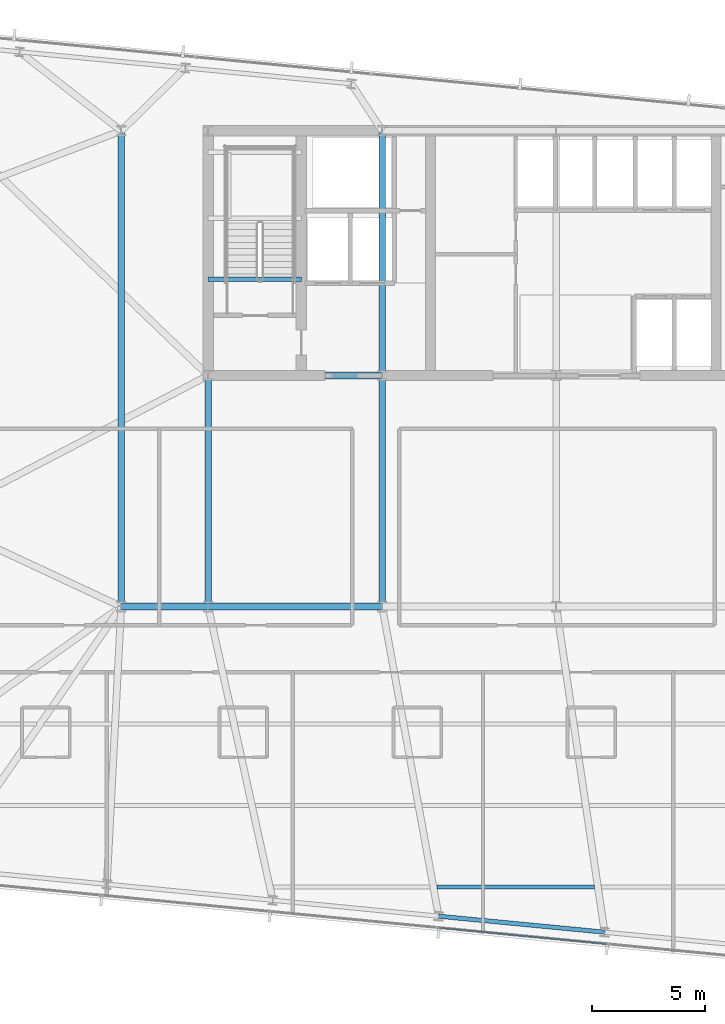
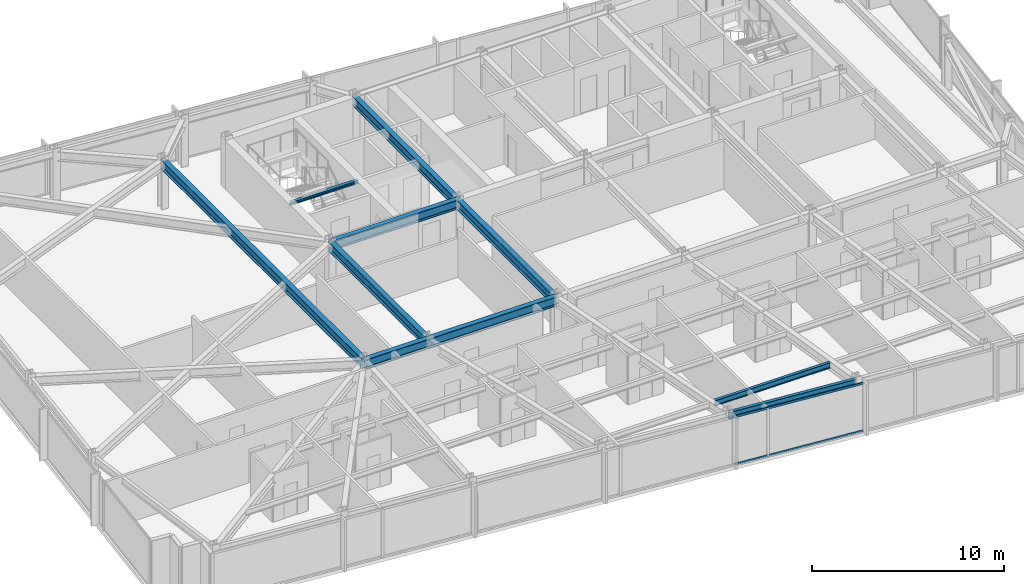
# One storey, part 11 of 37: 10 beams, 2 members, 1 element without a shape of its own.
"""IFC4 building model written with IfcOpenShell, lengths in metres."""

from ifc_helpers import new_model, si_unit, direction, frame, origin, origin_2d, place, context, subcontext, project, spatial, hollow_rectangle, i_section, extrude, material, material_profile, profile_set, type_object, element, aggregate, save


model = new_model("IFC4")

# Units and contexts
model_context = context("Model", 3, precision=1e-05, world=origin(), true_north=direction((0.0, 1.0)))
body_context = subcontext(model_context, "Body", "Model", "MODEL_VIEW")
ifc_project = project(units=[si_unit("LENGTHUNIT", "METRE"), si_unit("AREAUNIT", "SQUARE_METRE"), si_unit("VOLUMEUNIT", "CUBIC_METRE"), si_unit("PLANEANGLEUNIT", "RADIAN"), si_unit("MASSUNIT", "GRAM", prefix="KILO")], contexts=[model_context])

# Site, building, storey
site_placement = place(None, origin())
site = spatial("IfcSite", under=ifc_project, at=site_placement, CompositionType="ELEMENT")
building_placement = place(site_placement, origin())
building = spatial("IfcBuilding", under=site, at=building_placement, Name="Yelkora Congress Tower", CompositionType="ELEMENT")
storey_placement = place(building_placement, frame((0.0, 0.0, 165.5)))
storey = spatial("IfcBuildingStorey", under=building, at=storey_placement, Name="L45", CompositionType="ELEMENT", Elevation=165.5)

# Beams
ifc_material_1 = material(Name="Steel S355J2", Category="steel")
ifc_material_profile_1 = material_profile(ifc_material_1, i_section(OverallWidth=0.300048828125, OverallDepth=0.60009765625, WebThickness=0.015380859375, FlangeThickness=0.030029296875, FilletRadius=0.027099609375, at=origin_2d()), Name="HEB 600")
ifc_profile_set_1 = profile_set([ifc_material_profile_1], Name="Steel S355J2")
beam_type_1 = type_object("IfcBeamType", Name="BM-GIRD-HEB600", PredefinedType="BEAM", material=ifc_profile_set_1)
beam_1_placement = place(storey_placement, frame((19.199951171875, 25.199951171875, 2.780029296875), z_axis=(1.0, 0.0, 0.0), x_axis=(0.0, 1.0, 0.0)))
element("IfcBeam", 1, at=beam_1_placement, inside=storey, type_object=beam_type_1, Name="L45 Spine Grid D Girder 1", PredefinedType="BEAM", context=body_context, shape_type="SweptSolid", body=[
    extrude(i_section(OverallWidth=0.300048828125, OverallDepth=0.60009765625, WebThickness=0.015380859375, FlangeThickness=0.030029296875, FilletRadius=0.027099609375, at=origin_2d()), origin(), (0.0, 0.0, 1.0), 3.840087890625),
])
for number, where, z_axis, x_axis, name in (
    (2, (23.0400390625, 25.199951171875, 2.780029296875), (1.0, 0.0, 0.0), (0.0, 1.0, 0.0), "L45 Spine Grid D Girder 2"),
    (3, (23.0400390625, 35.39990234375, 2.780029296875), (1.0, 0.0, 0.0), (0.0, 1.0, 0.0), "L45 Core South Girder 1"),
):
    element("IfcBeam", number, at=place(storey_placement, frame(where, z_axis=z_axis, x_axis=x_axis)), inside=storey, type_object=beam_type_1, Name=name, PredefinedType="BEAM", context=body_context, shape_type="SweptSolid", body=[
        extrude(i_section(OverallWidth=0.300048828125, OverallDepth=0.60009765625, WebThickness=0.015380859375, FlangeThickness=0.030029296875, FilletRadius=0.027099609375, at=origin_2d()), origin(), (0.0, 0.0, 1.0), 7.679931640625),
    ])
for number, where, z_axis, x_axis, name in (
    (4, (23.0400390625, 25.199951171875, 2.780029296875), (0.0, 1.0, 0.0), (-1.0, 0.0, 0.0), "L45 Core Tie Girder MC-D1"),
    (5, (30.719970703125, 25.199951171875, 2.780029296875), (0.0, 1.0, 0.0), (-1.0, 0.0, 0.0), "L45 Core Tie Girder MC-D2"),
):
    element("IfcBeam", number, at=place(storey_placement, frame(where, z_axis=z_axis, x_axis=x_axis)), inside=storey, type_object=beam_type_1, Name=name, PredefinedType="BEAM", context=body_context, shape_type="SweptSolid", body=[
        extrude(i_section(OverallWidth=0.300048828125, OverallDepth=0.60009765625, WebThickness=0.015380859375, FlangeThickness=0.030029296875, FilletRadius=0.027099609375, at=origin_2d()), origin(), (0.0, 0.0, 1.0), 10.199951171875),
    ])
beam_2_placement = place(storey_placement, frame((30.719970703125, 35.39990234375, 2.780029296875), z_axis=(0.0, 1.0, 0.0), x_axis=(-1.0, 0.0, 0.0)))
element("IfcBeam", 6, at=beam_2_placement, inside=storey, type_object=beam_type_1, Name="L45 Core Tie Girder MC-S2", PredefinedType="BEAM", context=body_context, shape_type="SweptSolid", body=[
    extrude(i_section(OverallWidth=0.300048828125, OverallDepth=0.60009765625, WebThickness=0.015380859375, FlangeThickness=0.030029296875, FilletRadius=0.027099609375, at=origin_2d()), origin(), (0.0, 0.0, 1.0), 10.800048828125),
])
beam_3_placement = place(storey_placement, frame((19.199951171875, 25.199951171875, 2.780029296875), z_axis=(0.0, 1.0, 0.0), x_axis=(-1.0, 0.0, 0.0)))
element("IfcBeam", 7, at=beam_3_placement, inside=storey, type_object=beam_type_1, Name="L45 Neck Flank Girder MC-F1", PredefinedType="BEAM", context=body_context, shape_type="SweptSolid", body=[
    extrude(i_section(OverallWidth=0.300048828125, OverallDepth=0.60009765625, WebThickness=0.015380859375, FlangeThickness=0.030029296875, FilletRadius=0.027099609375, at=origin_2d()), origin(), (0.0, 0.0, 1.0), 21.0),
])
ifc_material_profile_2 = material_profile(ifc_material_1, i_section(OverallWidth=0.169921875, OverallDepth=0.360107421875, WebThickness=0.008056640625, FlangeThickness=0.0126953125, FilletRadius=0.01806640625, at=origin_2d()), Name="IPE 360")
ifc_profile_set_2 = profile_set([ifc_material_profile_2], Name="Steel S355J2")
beam_type_2 = type_object("IfcBeamType", Name="BM-JOIST-IPE360", PredefinedType="JOIST", material=ifc_profile_set_2)
beam_4_placement = place(storey_placement, frame((33.137939453125, 12.8212890625, 2.89990234375), z_axis=(1.0, 0.0, 0.0), x_axis=(0.0, 1.0, 0.0)))
element("IfcBeam", 8, at=beam_4_placement, inside=storey, type_object=beam_type_2, Name="L45 Composite Floor Joist 2", PredefinedType="JOIST", context=body_context, shape_type="SweptSolid", body=[
    extrude(i_section(OverallWidth=0.169921875, OverallDepth=0.360107421875, WebThickness=0.008056640625, FlangeThickness=0.0126953125, FilletRadius=0.01806640625, at=origin_2d()), origin(), (0.0, 0.0, 1.0), 6.94189453125),
])
ifc_material_profile_3 = material_profile(ifc_material_1, i_section(OverallWidth=0.199951171875, OverallDepth=0.18994140625, WebThickness=0.006591796875, FlangeThickness=0.010009765625, FilletRadius=0.01806640625, at=origin_2d()), Name="HEA 200")
ifc_profile_set_3 = profile_set([ifc_material_profile_3], Name="Steel S355J2")
beam_type_3 = type_object("IfcBeamType", Name="BM-LAND-HEA200", PredefinedType="BEAM", material=ifc_profile_set_3)
beam_5_placement = place(storey_placement, frame((23.0400390625, 39.639892578125, 2.85400390625), z_axis=(1.0, 0.0, 0.0), x_axis=(0.0, 1.0, 0.0)))
element("IfcBeam", 9, at=beam_5_placement, inside=storey, type_object=beam_type_3, Name="ST-01 L45 Floor Arrival Stringer Header Beam", PredefinedType="BEAM", context=body_context, shape_type="SweptSolid", body=[
    extrude(i_section(OverallWidth=0.199951171875, OverallDepth=0.18994140625, WebThickness=0.006591796875, FlangeThickness=0.010009765625, FilletRadius=0.01806640625, at=origin_2d()), origin(), (0.0, 0.0, 1.0), 4.10986328125),
])
ifc_material_profile_4 = material_profile(ifc_material_1, i_section(OverallWidth=0.18994140625, OverallDepth=0.449951171875, WebThickness=0.009521484375, FlangeThickness=0.0146484375, FilletRadius=0.02099609375, at=origin_2d()), Name="IPE 450")
ifc_profile_set_4 = profile_set([ifc_material_profile_4], Name="Steel S355J2")
beam_type_4 = type_object("IfcBeamType", Name="BM-SPAN-IPE450", PredefinedType="SPANDREL", material=ifc_profile_set_4)
beam_6_placement = place(storey_placement, frame((33.21240234375, 11.53662109375, 2.85498046875), z_axis=(0.995397104697, -0.095836339457, 0.0), x_axis=(0.095836339457, 0.995397104697, 0.0)))
element("IfcBeam", 10, at=beam_6_placement, inside=storey, type_object=beam_type_4, Name="L45 Perimeter Beam 6", PredefinedType="SPANDREL", context=body_context, shape_type="SweptSolid", body=[
    extrude(i_section(OverallWidth=0.18994140625, OverallDepth=0.449951171875, WebThickness=0.009521484375, FlangeThickness=0.0146484375, FilletRadius=0.02099609375, at=origin_2d()), origin(), (0.0, 0.0, 1.0), 7.357177734375),
])

# Curtain wall, members
ifc_material_2 = material(Name="Anodised aluminium and insulated glass", Category="aluminium")
curtain_wall_type = type_object("IfcCurtainWallType", Name="CW-SYS-B3", PredefinedType="NOTDEFINED", material=ifc_material_2)
curtain_wall_placement = place(storey_placement, origin())
curtain_wall = element("IfcCurtainWall", 11, at=curtain_wall_placement, inside=storey, type_object=curtain_wall_type, Name="L45 Unitised Curtain Wall 20", PredefinedType="NOTDEFINED")
ifc_material_3 = material(Name="Anodised aluminium 6063-T6", Category="aluminium")
ifc_material_profile_5 = material_profile(ifc_material_3, hollow_rectangle(XDim=0.06005859375, YDim=0.1298828125, WallThickness=0.00390625, at=origin_2d()), Name="ALU 60x130x4")
ifc_profile_set_5 = profile_set([ifc_material_profile_5], Name="Anodised aluminium 6063-T6")
member_type = type_object("IfcMemberType", Name="MEM-TR-B3", PredefinedType="USERDEFINED", material=ifc_profile_set_5)
member_1_placement = place(storey_placement, frame((40.626708984375, 10.310302734375, 0.030029296875), z_axis=(-0.99539548672, 0.095853142967, 0.0), x_axis=(-0.095853142967, -0.99539548672, 0.0)))
member_1 = element("IfcMember", 12, at=member_1_placement, type_object=member_type, Name="CW-B3 transom 3.1", ObjectType="TRANSOM", PredefinedType="USERDEFINED", context=body_context, shape_type="SweptSolid", body=[
    extrude(hollow_rectangle(XDim=0.06005859375, YDim=0.1298828125, WallThickness=0.00390625, at=origin_2d()), origin(), (0.0, 0.0, 1.0), 7.404296875),
])
member_2_placement = place(storey_placement, frame((40.626708984375, 10.310302734375, 3.050048828125), z_axis=(-0.99539548672, 0.095853142967, 0.0), x_axis=(-0.095853142967, -0.99539548672, 0.0)))
member_2 = element("IfcMember", 13, at=member_2_placement, type_object=member_type, Name="CW-B3 transom 3.2", ObjectType="TRANSOM", PredefinedType="USERDEFINED", context=body_context, shape_type="SweptSolid", body=[
    extrude(hollow_rectangle(XDim=0.06005859375, YDim=0.1298828125, WallThickness=0.00390625, at=origin_2d()), origin(), (0.0, 0.0, 1.0), 7.404296875),
])
aggregate(curtain_wall, [member_1, member_2])

save(model, "model.ifc")
